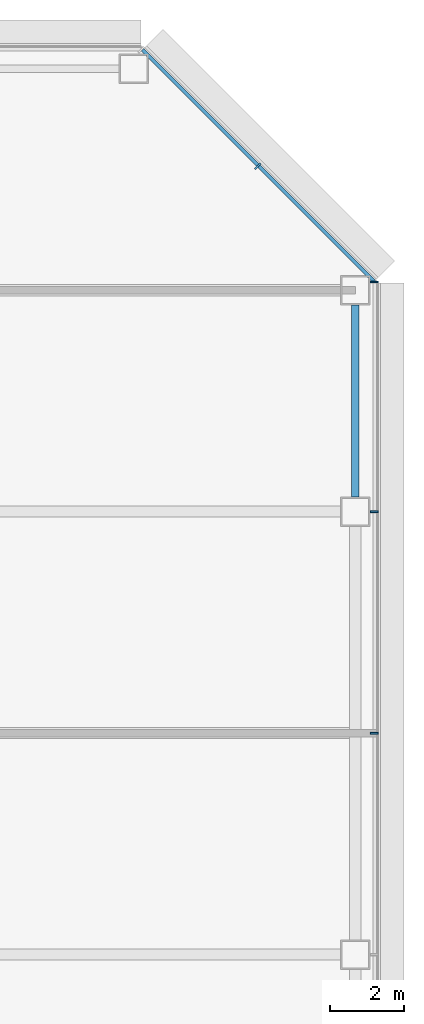
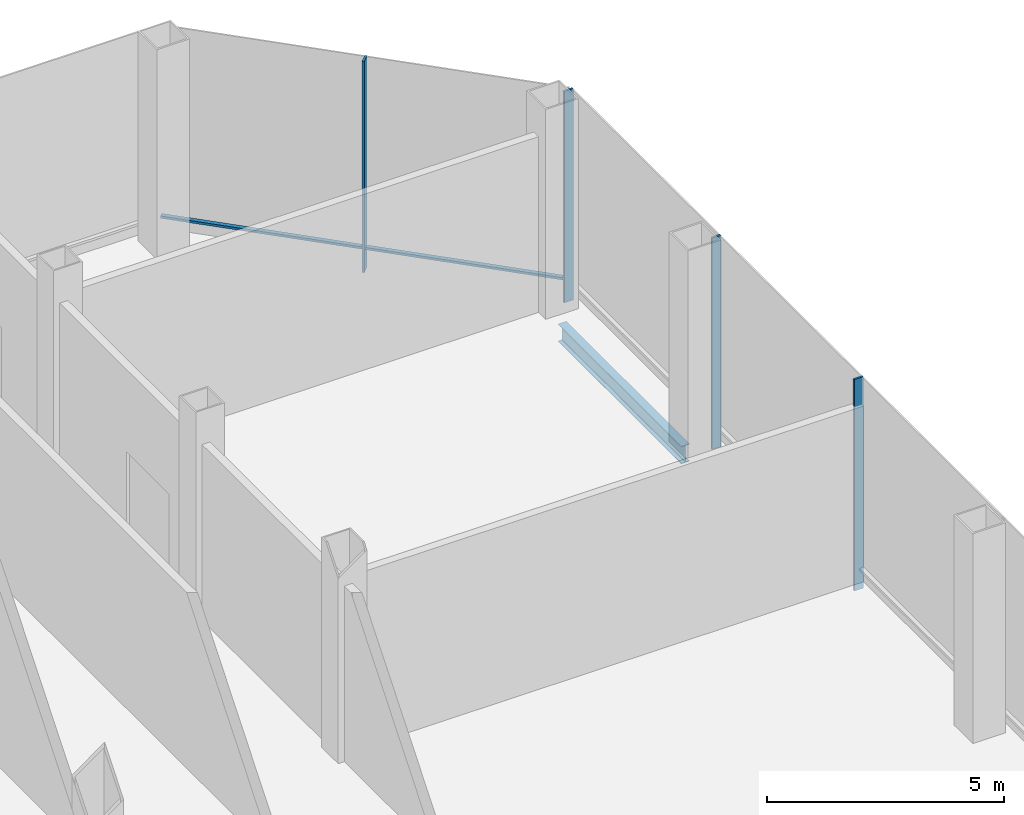
# One storey, part 14 of 23: 5 members, 1 beam, 2 elements without a shape of their own.
"""IFC4 building model written with IfcOpenShell, lengths in metres."""

from ifc_helpers import new_model, si_unit, direction, frame, origin, origin_2d, place, context, subcontext, project, spatial, rectangle, i_section, extrude, material, material_profile, profile_set, type_object, element, aggregate, save


model = new_model("IFC4")

# Units and contexts
model_context = context("Model", 3, precision=1e-05, world=origin(), true_north=direction((0.0, 1.0)))
body_context = subcontext(model_context, "Body", "Model", "MODEL_VIEW")
ifc_project = project(units=[si_unit("LENGTHUNIT", "METRE"), si_unit("AREAUNIT", "SQUARE_METRE"), si_unit("VOLUMEUNIT", "CUBIC_METRE"), si_unit("PLANEANGLEUNIT", "RADIAN"), si_unit("MASSUNIT", "GRAM", prefix="KILO")], contexts=[model_context])

# Site, building, storey
site_placement = place(None, origin())
site = spatial("IfcSite", under=ifc_project, at=site_placement, CompositionType="ELEMENT")
building_placement = place(site_placement, origin())
building = spatial("IfcBuilding", under=site, at=building_placement, Name="Sorahane Residences", CompositionType="ELEMENT")
storey_placement = place(building_placement, frame((0.0, 0.0, 114.199951171875)))
storey = spatial("IfcBuildingStorey", under=building, at=storey_placement, Name="L25", CompositionType="ELEMENT", Elevation=114.199951171875)

# Curtain wall, members
ifc_material_1 = material(Name="Dark low-e glass and black anodised aluminium", Category="aluminium")
curtain_wall_type = type_object("IfcCurtainWallType", Name="Curtain wall CW-4 Sky floor frameless wall", PredefinedType="NOTDEFINED", material=ifc_material_1)
curtain_wall_1_placement = place(storey_placement, origin())
curtain_wall_1 = element("IfcCurtainWall", 1, at=curtain_wall_1_placement, inside=storey, type_object=curtain_wall_type, Name="CW-4 curtain wall L25 E1", PredefinedType="NOTDEFINED")
ifc_material_2 = material(Name="Black anodised aluminium", Category="aluminium")
ifc_material_profile_1 = material_profile(ifc_material_2, rectangle(XDim=0.219970703125, YDim=0.050048828125, at=origin_2d()), Name="Curtain wall mullion CW-4 black anodised aluminium 50x220")
ifc_profile_set_1 = profile_set([ifc_material_profile_1], Name="Black anodised aluminium")
member_type_1 = type_object("IfcMemberType", Name="Curtain wall mullion CW-4 black anodised aluminium 50x220", PredefinedType="MULLION", material=ifc_profile_set_1)
member_1_placement = place(storey_placement, frame((60.510009765625, 30.0, -0.219970703125), z_axis=(0.0, 0.0, 1.0), x_axis=(1.0, 0.0, 0.0)))
member_1 = element("IfcMember", 2, at=member_1_placement, type_object=member_type_1, Name="CW-4 mullion L25 E1.5", PredefinedType="MULLION", context=body_context, shape_type="SweptSolid", body=[
    extrude(rectangle(XDim=0.219970703125, YDim=0.050048828125, at=origin_2d()), origin(), (0.0, 0.0, 1.0), 5.43994140625),
])
member_2_placement = place(storey_placement, frame((60.510009765625, 36.0, -0.219970703125), z_axis=(0.0, 0.0, 1.0), x_axis=(1.0, 0.0, 0.0)))
member_2 = element("IfcMember", 3, at=member_2_placement, type_object=member_type_1, Name="CW-4 mullion L25 E1.6", PredefinedType="MULLION", context=body_context, shape_type="SweptSolid", body=[
    extrude(rectangle(XDim=0.219970703125, YDim=0.050048828125, at=origin_2d()), origin(), (0.0, 0.0, 1.0), 5.43994140625),
])
member_3_placement = place(storey_placement, frame((60.510009765625, 42.2236328125, -0.219970703125), z_axis=(0.0, 0.0, 1.0), x_axis=(1.0, 0.0, 0.0)))
member_3 = element("IfcMember", 4, at=member_3_placement, type_object=member_type_1, Name="CW-4 mullion L25 E1.7", PredefinedType="MULLION", context=body_context, shape_type="SweptSolid", body=[
    extrude(rectangle(XDim=0.219970703125, YDim=0.050048828125, at=origin_2d()), origin(), (0.0, 0.0, 1.0), 5.43994140625),
])
aggregate(curtain_wall_1, [member_1, member_2, member_3])

curtain_wall_2_placement = place(storey_placement, origin())
curtain_wall_2 = element("IfcCurtainWall", 5, at=curtain_wall_2_placement, inside=storey, type_object=curtain_wall_type, Name="CW-4 curtain wall L25 NE1", PredefinedType="NOTDEFINED")
member_4_placement = place(storey_placement, frame((57.360595703125, 45.360595703125, -0.219970703125), z_axis=(0.0, 0.0, 1.0), x_axis=(0.707106781187, 0.707106781187, 0.0)))
member_4 = element("IfcMember", 6, at=member_4_placement, type_object=member_type_1, Name="CW-4 mullion L25 NE1.2", PredefinedType="MULLION", context=body_context, shape_type="SweptSolid", body=[
    extrude(rectangle(XDim=0.219970703125, YDim=0.050048828125, at=origin_2d()), origin(), (0.0, 0.0, 1.0), 5.43994140625),
])
ifc_material_3 = material(Name="Black anodised aluminium", Category="aluminium")
ifc_material_profile_2 = material_profile(ifc_material_3, rectangle(XDim=0.10009765625, YDim=0.06005859375, at=origin_2d()), Name="Curtain wall transom CW-4 black anodised aluminium 60x100")
ifc_profile_set_2 = profile_set([ifc_material_profile_2], Name="Black anodised aluminium")
member_type_2 = type_object("IfcMemberType", Name="Curtain wall transom CW-4 black anodised aluminium 60x100", PredefinedType="USERDEFINED", material=ifc_profile_set_2)
member_5_placement = place(storey_placement, frame((60.51513671875, 42.234375, 0.35009765625), z_axis=(-0.707106781187, 0.707106781187, 0.0), x_axis=(-0.707106781187, -0.707106781187, 0.0)))
member_5 = element("IfcMember", 7, at=member_5_placement, type_object=member_type_2, Name="CW-4 transom L25 NE1", ObjectType="TRANSOM", PredefinedType="USERDEFINED", context=body_context, shape_type="SweptSolid", body=[
    extrude(rectangle(XDim=0.10009765625, YDim=0.06005859375, at=origin_2d()), origin(), (0.0, 0.0, 1.0), 8.88232421875),
])
aggregate(curtain_wall_2, [member_4, member_5])

# Beam
ifc_material_4 = material(Name="Steel Q355B", Category="steel")
ifc_material_profile_3 = material_profile(ifc_material_4, i_section(OverallWidth=0.199951171875, OverallDepth=0.449951171875, WebThickness=0.009033203125, FlangeThickness=0.013916015625, FilletRadius=0.02001953125, at=origin_2d()), Name="HN 450x200x9x14")
ifc_profile_set_3 = profile_set([ifc_material_profile_3], Name="Steel Q355B")
beam_type = type_object("IfcBeamType", Name="Steel floor beam HN 450x200x9x14 Q355B", PredefinedType="BEAM", material=ifc_profile_set_3)
beam_placement = place(storey_placement, frame((60.0, 36.39990234375, -0.445068359375), z_axis=(0.0, 1.0, 0.0), x_axis=(-1.0, 0.0, 0.0)))
element("IfcBeam", 8, at=beam_placement, inside=storey, type_object=beam_type, Name="Beam L25 067", PredefinedType="BEAM", context=body_context, shape_type="SweptSolid", body=[
    extrude(i_section(OverallWidth=0.199951171875, OverallDepth=0.449951171875, WebThickness=0.009033203125, FlangeThickness=0.013916015625, FilletRadius=0.02001953125, at=origin_2d()), origin(), (0.0, 0.0, 1.0), 5.2001953125),
])

save(model, "model.ifc")
